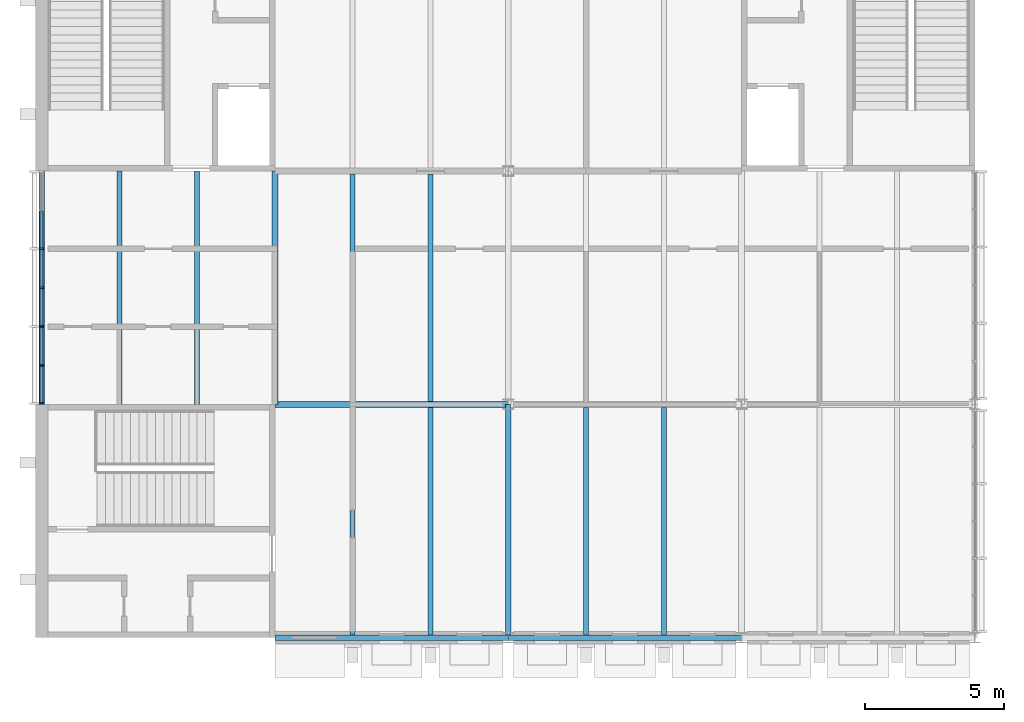
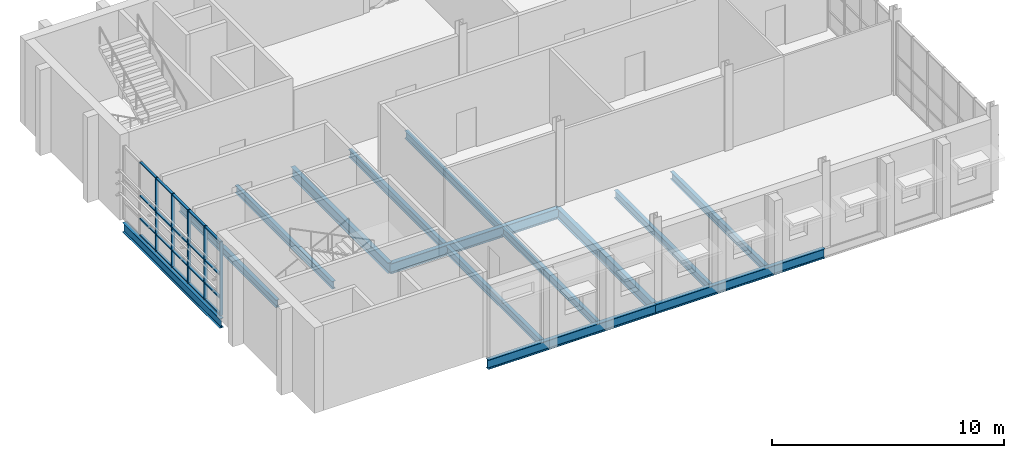
# One storey, part 3 of 22: 25 members, 14 beams, 1 element without a shape of its own.
"""IFC4 building model written with IfcOpenShell, lengths in metres."""

from ifc_helpers import new_model, si_unit, direction, frame, origin, origin_2d, place, context, subcontext, project, spatial, rectangle, i_section, extrude, material, layer, layer_set, material_profile, profile_set, type_object, element, aggregate, save


model = new_model("IFC4")

# Units and contexts
model_context = context("Model", 3, precision=1e-05, world=origin(), true_north=direction((0.0, 1.0)))
body_context = subcontext(model_context, "Body", "Model", "MODEL_VIEW")
ifc_project = project(units=[si_unit("LENGTHUNIT", "METRE"), si_unit("AREAUNIT", "SQUARE_METRE"), si_unit("VOLUMEUNIT", "CUBIC_METRE"), si_unit("PLANEANGLEUNIT", "RADIAN"), si_unit("MASSUNIT", "GRAM", prefix="KILO")], contexts=[model_context])

# Site, building, storey
site_placement = place(None, origin())
site = spatial("IfcSite", under=ifc_project, at=site_placement, CompositionType="ELEMENT")
building_placement = place(site_placement, origin())
building = spatial("IfcBuilding", under=site, at=building_placement, Name="Ardhachandra Cancer Care Centre", CompositionType="ELEMENT")
storey_placement = place(building_placement, frame((0.0, 0.0, 18.0)))
storey = spatial("IfcBuildingStorey", under=building, at=storey_placement, Name="L04", CompositionType="ELEMENT", Elevation=18.0)

# Beams
ifc_material_1 = material(Name="Steel E350 (IS 2062)", Category="steel")
ifc_material_profile_1 = material_profile(ifc_material_1, i_section(OverallWidth=0.179931640625, OverallDepth=0.39990234375, WebThickness=0.008544921875, FlangeThickness=0.013427734375, FilletRadius=0.02099609375, at=origin_2d()), Name="NPB 400x180x66.30")
ifc_profile_set_1 = profile_set([ifc_material_profile_1], Name="Steel E350 (IS 2062)")
beam_type_1 = type_object("IfcBeamType", Name="Beam NPB 400x180x66.30", PredefinedType="BEAM", material=ifc_profile_set_1)
for number, where, z_axis, x_axis, name in (
    (1, (13.60009765625, 79.800048828125, -0.35009765625), (0.0, 1.0, 0.0), (-1.0, 0.0, 0.0), "Secondary J1-K1@2800"),
    (2, (16.39990234375, 79.800048828125, -0.35009765625), (0.0, 1.0, 0.0), (-1.0, 0.0, 0.0), "Secondary J1-K1@5600"),
):
    element("IfcBeam", number, at=place(storey_placement, frame(where, z_axis=z_axis, x_axis=x_axis)), inside=storey, type_object=beam_type_1, Name=name, PredefinedType="BEAM", context=body_context, shape_type="SweptSolid", body=[
        extrude(i_section(OverallWidth=0.179931640625, OverallDepth=0.39990234375, WebThickness=0.008544921875, FlangeThickness=0.013427734375, FilletRadius=0.02099609375, at=origin_2d()), origin(), (0.0, 0.0, 1.0), 8.39990234375),
    ])
beam_1_placement = place(storey_placement, frame((22.0, 71.5, -0.35009765625), z_axis=(0.0, 1.0, 0.0), x_axis=(-1.0, 0.0, 0.0)))
element("IfcBeam", 3, at=beam_1_placement, inside=storey, type_object=beam_type_1, Name="Secondary H2-J2@2800", PredefinedType="BEAM", context=body_context, shape_type="SweptSolid", body=[
    extrude(i_section(OverallWidth=0.179931640625, OverallDepth=0.39990234375, WebThickness=0.008544921875, FlangeThickness=0.013427734375, FilletRadius=0.02099609375, at=origin_2d()), origin(), (0.0, 0.0, 1.0), 8.195068359375),
])
beam_2_placement = place(storey_placement, frame((22.0, 79.905029296875, -0.35009765625), z_axis=(0.0, 1.0, 0.0), x_axis=(-1.0, 0.0, 0.0)))
element("IfcBeam", 4, at=beam_2_placement, inside=storey, type_object=beam_type_1, Name="Secondary J2-K2@2800", PredefinedType="BEAM", context=body_context, shape_type="SweptSolid", body=[
    extrude(i_section(OverallWidth=0.179931640625, OverallDepth=0.39990234375, WebThickness=0.008544921875, FlangeThickness=0.013427734375, FilletRadius=0.02099609375, at=origin_2d()), origin(), (0.0, 0.0, 1.0), 8.18994140625),
])
beam_3_placement = place(storey_placement, frame((24.800048828125, 71.5, -0.35009765625), z_axis=(0.0, 1.0, 0.0), x_axis=(-1.0, 0.0, 0.0)))
element("IfcBeam", 5, at=beam_3_placement, inside=storey, type_object=beam_type_1, Name="Secondary H2-J2@5600", PredefinedType="BEAM", context=body_context, shape_type="SweptSolid", body=[
    extrude(i_section(OverallWidth=0.179931640625, OverallDepth=0.39990234375, WebThickness=0.008544921875, FlangeThickness=0.013427734375, FilletRadius=0.02099609375, at=origin_2d()), origin(), (0.0, 0.0, 1.0), 8.195068359375),
])
beam_4_placement = place(storey_placement, frame((24.800048828125, 79.905029296875, -0.35009765625), z_axis=(0.0, 1.0, 0.0), x_axis=(-1.0, 0.0, 0.0)))
element("IfcBeam", 6, at=beam_4_placement, inside=storey, type_object=beam_type_1, Name="Secondary J2-K2@5600", PredefinedType="BEAM", context=body_context, shape_type="SweptSolid", body=[
    extrude(i_section(OverallWidth=0.179931640625, OverallDepth=0.39990234375, WebThickness=0.008544921875, FlangeThickness=0.013427734375, FilletRadius=0.02099609375, at=origin_2d()), origin(), (0.0, 0.0, 1.0), 8.18994140625),
])
for number, where, z_axis, x_axis, name in (
    (7, (30.39990234375, 71.5, -0.35009765625), (0.0, 1.0, 0.0), (-1.0, 0.0, 0.0), "Secondary H3-J3@2800"),
    (8, (33.199951171875, 71.5, -0.35009765625), (0.0, 1.0, 0.0), (-1.0, 0.0, 0.0), "Secondary H3-J3@5600"),
):
    element("IfcBeam", number, at=place(storey_placement, frame(where, z_axis=z_axis, x_axis=x_axis)), inside=storey, type_object=beam_type_1, Name=name, PredefinedType="BEAM", context=body_context, shape_type="SweptSolid", body=[
        extrude(i_section(OverallWidth=0.179931640625, OverallDepth=0.39990234375, WebThickness=0.008544921875, FlangeThickness=0.013427734375, FilletRadius=0.02099609375, at=origin_2d()), origin(), (0.0, 0.0, 1.0), 8.195068359375),
    ])
ifc_material_2 = material(Name="Steel E350 (IS 2062)", Category="steel")
ifc_material_profile_2 = material_profile(ifc_material_2, i_section(OverallWidth=0.199951171875, OverallDepth=0.5, WebThickness=0.01025390625, FlangeThickness=0.01611328125, FilletRadius=0.02099609375, at=origin_2d()), Name="NPB 500x200x90.68")
ifc_profile_set_2 = profile_set([ifc_material_profile_2], Name="Steel E350 (IS 2062)")
beam_type_2 = type_object("IfcBeamType", Name="Beam NPB 500x200x90.68", PredefinedType="BEAM", material=ifc_profile_set_2)
beam_5_placement = place(storey_placement, frame((19.199951171875, 71.39990234375, -0.39990234375), z_axis=(1.0, 0.0, 0.0), x_axis=(0.0, 1.0, 0.0)))
element("IfcBeam", 9, at=beam_5_placement, inside=storey, type_object=beam_type_2, Name="Edge girder H2-H3", PredefinedType="BEAM", context=body_context, shape_type="SweptSolid", body=[
    extrude(i_section(OverallWidth=0.199951171875, OverallDepth=0.5, WebThickness=0.01025390625, FlangeThickness=0.01611328125, FilletRadius=0.02099609375, at=origin_2d()), origin(), (0.0, 0.0, 1.0), 8.400146484375),
])
for number, where, z_axis, x_axis, name in (
    (10, (27.60009765625, 71.39990234375, -0.39990234375), (1.0, 0.0, 0.0), (0.0, 1.0, 0.0), "Edge girder H3-H4"),
    (11, (10.800048828125, 79.800048828125, -0.39990234375), (0.0, 1.0, 0.0), (-1.0, 0.0, 0.0), "Edge girder J1-K1"),
):
    element("IfcBeam", number, at=place(storey_placement, frame(where, z_axis=z_axis, x_axis=x_axis)), inside=storey, type_object=beam_type_2, Name=name, PredefinedType="BEAM", context=body_context, shape_type="SweptSolid", body=[
        extrude(i_section(OverallWidth=0.199951171875, OverallDepth=0.5, WebThickness=0.01025390625, FlangeThickness=0.01611328125, FilletRadius=0.02099609375, at=origin_2d()), origin(), (0.0, 0.0, 1.0), 8.39990234375),
    ])
ifc_material_3 = material(Name="Steel E350 (IS 2062)", Category="steel")
ifc_material_profile_3 = material_profile(ifc_material_3, i_section(OverallWidth=0.2099609375, OverallDepth=0.550048828125, WebThickness=0.010986328125, FlangeThickness=0.01708984375, FilletRadius=0.02392578125, at=origin_2d()), Name="NPB 550x210x105.52")
ifc_profile_set_3 = profile_set([ifc_material_profile_3], Name="Steel E350 (IS 2062)")
beam_type_3 = type_object("IfcBeamType", Name="Beam NPB 550x210x105.52", PredefinedType="BEAM", material=ifc_profile_set_3)
beam_6_placement = place(storey_placement, frame((19.199951171875, 79.800048828125, -0.425048828125), z_axis=(1.0, 0.0, 0.0), x_axis=(0.0, 1.0, 0.0)))
element("IfcBeam", 12, at=beam_6_placement, inside=storey, type_object=beam_type_3, Name="Girder J2-J3", PredefinedType="BEAM", context=body_context, shape_type="SweptSolid", body=[
    extrude(i_section(OverallWidth=0.2099609375, OverallDepth=0.550048828125, WebThickness=0.010986328125, FlangeThickness=0.01708984375, FilletRadius=0.02392578125, at=origin_2d()), origin(), (0.0, 0.0, 1.0), 8.400146484375),
])
beam_7_placement = place(storey_placement, frame((19.199951171875, 79.800048828125, -0.425048828125), z_axis=(0.0, 1.0, 0.0), x_axis=(-1.0, 0.0, 0.0)))
element("IfcBeam", 13, at=beam_7_placement, inside=storey, type_object=beam_type_3, Name="Girder J2-K2", PredefinedType="BEAM", context=body_context, shape_type="SweptSolid", body=[
    extrude(i_section(OverallWidth=0.2099609375, OverallDepth=0.550048828125, WebThickness=0.010986328125, FlangeThickness=0.01708984375, FilletRadius=0.02392578125, at=origin_2d()), origin(), (0.0, 0.0, 1.0), 8.39990234375),
])
beam_8_placement = place(storey_placement, frame((27.60009765625, 71.39990234375, -0.425048828125), z_axis=(0.0, 1.0, 0.0), x_axis=(-1.0, 0.0, 0.0)))
element("IfcBeam", 14, at=beam_8_placement, inside=storey, type_object=beam_type_3, Name="Girder H3-J3", PredefinedType="BEAM", context=body_context, shape_type="SweptSolid", body=[
    extrude(i_section(OverallWidth=0.2099609375, OverallDepth=0.550048828125, WebThickness=0.010986328125, FlangeThickness=0.01708984375, FilletRadius=0.02392578125, at=origin_2d()), origin(), (0.0, 0.0, 1.0), 8.400146484375),
])

# Curtain wall, members
ifc_material_4 = material(Name="Aluminium extrusion", Category="aluminium")
ifc_layer = layer(ifc_material_4, 0.14990234375)
ifc_layer_set = layer_set([ifc_layer], Name="Aluminium extrusion")
curtain_wall_type = type_object("IfcCurtainWallType", Name="Curtain wall run", PredefinedType="NOTDEFINED", material=ifc_layer_set)
curtain_wall_placement = place(storey_placement, origin())
curtain_wall = element("IfcCurtainWall", 15, at=curtain_wall_placement, inside=storey, type_object=curtain_wall_type, Name="Curtain wall L04 w/0010800_0079800", PredefinedType="NOTDEFINED")
ifc_material_5 = material(Name="Aluminium extrusion", Category="aluminium")
ifc_material_profile_4 = material_profile(ifc_material_5, rectangle(XDim=0.159912109375, YDim=0.06005859375, at=origin_2d()), Name="Curtain wall mullion 60 x 160")
ifc_profile_set_4 = profile_set([ifc_material_profile_4], Name="Aluminium extrusion")
member_type_1 = type_object("IfcMemberType", Name="Curtain wall mullion 60 x 160", PredefinedType="MULLION", material=ifc_profile_set_4)
member_1_placement = place(storey_placement, frame((10.800048828125, 79.830078125, 0.0), z_axis=(0.0, 0.0, 1.0), x_axis=(-1.0, 0.0, 0.0)))
member_1 = element("IfcMember", 16, at=member_1_placement, type_object=member_type_1, Name="CW mullion 1", PredefinedType="MULLION", context=body_context, shape_type="SweptSolid", body=[
    extrude(rectangle(XDim=0.159912109375, YDim=0.06005859375, at=origin_2d()), origin(), (0.0, 0.0, 1.0), 3.885986328125),
])
member_2_placement = place(storey_placement, frame((10.800048828125, 81.199951171875, 0.0), z_axis=(0.0, 0.0, 1.0), x_axis=(-1.0, 0.0, 0.0)))
member_2 = element("IfcMember", 17, at=member_2_placement, type_object=member_type_1, Name="CW mullion 2", PredefinedType="MULLION", context=body_context, shape_type="SweptSolid", body=[
    extrude(rectangle(XDim=0.159912109375, YDim=0.06005859375, at=origin_2d()), origin(), (0.0, 0.0, 1.0), 3.885986328125),
])
member_3_placement = place(storey_placement, frame((10.800048828125, 82.60009765625, 0.0), z_axis=(0.0, 0.0, 1.0), x_axis=(-1.0, 0.0, 0.0)))
member_3 = element("IfcMember", 18, at=member_3_placement, type_object=member_type_1, Name="CW mullion 3", PredefinedType="MULLION", context=body_context, shape_type="SweptSolid", body=[
    extrude(rectangle(XDim=0.159912109375, YDim=0.06005859375, at=origin_2d()), origin(), (0.0, 0.0, 1.0), 3.885986328125),
])
member_4_placement = place(storey_placement, frame((10.800048828125, 84.0, 0.0), z_axis=(0.0, 0.0, 1.0), x_axis=(-1.0, 0.0, 0.0)))
member_4 = element("IfcMember", 19, at=member_4_placement, type_object=member_type_1, Name="CW mullion 4", PredefinedType="MULLION", context=body_context, shape_type="SweptSolid", body=[
    extrude(rectangle(XDim=0.159912109375, YDim=0.06005859375, at=origin_2d()), origin(), (0.0, 0.0, 1.0), 3.885986328125),
])
member_5_placement = place(storey_placement, frame((10.800048828125, 85.39990234375, 0.0), z_axis=(0.0, 0.0, 1.0), x_axis=(-1.0, 0.0, 0.0)))
member_5 = element("IfcMember", 20, at=member_5_placement, type_object=member_type_1, Name="CW mullion 5", PredefinedType="MULLION", context=body_context, shape_type="SweptSolid", body=[
    extrude(rectangle(XDim=0.159912109375, YDim=0.06005859375, at=origin_2d()), origin(), (0.0, 0.0, 1.0), 3.885986328125),
])
ifc_material_6 = material(Name="Aluminium extrusion", Category="aluminium")
ifc_material_profile_5 = material_profile(ifc_material_6, rectangle(XDim=0.1201171875, YDim=0.06005859375, at=origin_2d()), Name="Curtain wall transom 60 x 120")
ifc_profile_set_5 = profile_set([ifc_material_profile_5], Name="Aluminium extrusion")
member_type_2 = type_object("IfcMemberType", Name="Curtain wall transom 60 x 120", PredefinedType="USERDEFINED", material=ifc_profile_set_5)
member_6_placement = place(storey_placement, frame((10.800048828125, 79.860107421875, 0.030029296875), z_axis=(0.0, 1.0, 0.0), x_axis=(-1.0, 0.0, 0.0)))
member_6 = element("IfcMember", 21, at=member_6_placement, type_object=member_type_2, Name="CW transom 1.1", ObjectType="TRANSOM", PredefinedType="USERDEFINED", context=body_context, shape_type="SweptSolid", body=[
    extrude(rectangle(XDim=0.1201171875, YDim=0.06005859375, at=origin_2d()), origin(), (0.0, 0.0, 1.0), 1.309814453125),
])
member_7_placement = place(storey_placement, frame((10.800048828125, 79.860107421875, 0.89990234375), z_axis=(0.0, 1.0, 0.0), x_axis=(-1.0, 0.0, 0.0)))
member_7 = element("IfcMember", 22, at=member_7_placement, type_object=member_type_2, Name="CW transom 1.2", ObjectType="TRANSOM", PredefinedType="USERDEFINED", context=body_context, shape_type="SweptSolid", body=[
    extrude(rectangle(XDim=0.1201171875, YDim=0.06005859375, at=origin_2d()), origin(), (0.0, 0.0, 1.0), 1.309814453125),
])
member_8_placement = place(storey_placement, frame((10.800048828125, 79.860107421875, 2.10009765625), z_axis=(0.0, 1.0, 0.0), x_axis=(-1.0, 0.0, 0.0)))
member_8 = element("IfcMember", 23, at=member_8_placement, type_object=member_type_2, Name="CW transom 1.3", ObjectType="TRANSOM", PredefinedType="USERDEFINED", context=body_context, shape_type="SweptSolid", body=[
    extrude(rectangle(XDim=0.1201171875, YDim=0.06005859375, at=origin_2d()), origin(), (0.0, 0.0, 1.0), 1.309814453125),
])
member_9_placement = place(storey_placement, frame((10.800048828125, 79.860107421875, 3.85595703125), z_axis=(0.0, 1.0, 0.0), x_axis=(-1.0, 0.0, 0.0)))
member_9 = element("IfcMember", 24, at=member_9_placement, type_object=member_type_2, Name="CW transom 1.4", ObjectType="TRANSOM", PredefinedType="USERDEFINED", context=body_context, shape_type="SweptSolid", body=[
    extrude(rectangle(XDim=0.1201171875, YDim=0.06005859375, at=origin_2d()), origin(), (0.0, 0.0, 1.0), 1.309814453125),
])
member_10_placement = place(storey_placement, frame((10.800048828125, 81.22998046875, 0.030029296875), z_axis=(0.0, 1.0, 0.0), x_axis=(-1.0, 0.0, 0.0)))
member_10 = element("IfcMember", 25, at=member_10_placement, type_object=member_type_2, Name="CW transom 2.1", ObjectType="TRANSOM", PredefinedType="USERDEFINED", context=body_context, shape_type="SweptSolid", body=[
    extrude(rectangle(XDim=0.1201171875, YDim=0.06005859375, at=origin_2d()), origin(), (0.0, 0.0, 1.0), 1.340087890625),
])
member_11_placement = place(storey_placement, frame((10.800048828125, 81.22998046875, 0.89990234375), z_axis=(0.0, 1.0, 0.0), x_axis=(-1.0, 0.0, 0.0)))
member_11 = element("IfcMember", 26, at=member_11_placement, type_object=member_type_2, Name="CW transom 2.2", ObjectType="TRANSOM", PredefinedType="USERDEFINED", context=body_context, shape_type="SweptSolid", body=[
    extrude(rectangle(XDim=0.1201171875, YDim=0.06005859375, at=origin_2d()), origin(), (0.0, 0.0, 1.0), 1.340087890625),
])
member_12_placement = place(storey_placement, frame((10.800048828125, 81.22998046875, 2.10009765625), z_axis=(0.0, 1.0, 0.0), x_axis=(-1.0, 0.0, 0.0)))
member_12 = element("IfcMember", 27, at=member_12_placement, type_object=member_type_2, Name="CW transom 2.3", ObjectType="TRANSOM", PredefinedType="USERDEFINED", context=body_context, shape_type="SweptSolid", body=[
    extrude(rectangle(XDim=0.1201171875, YDim=0.06005859375, at=origin_2d()), origin(), (0.0, 0.0, 1.0), 1.340087890625),
])
member_13_placement = place(storey_placement, frame((10.800048828125, 81.22998046875, 3.85595703125), z_axis=(0.0, 1.0, 0.0), x_axis=(-1.0, 0.0, 0.0)))
member_13 = element("IfcMember", 28, at=member_13_placement, type_object=member_type_2, Name="CW transom 2.4", ObjectType="TRANSOM", PredefinedType="USERDEFINED", context=body_context, shape_type="SweptSolid", body=[
    extrude(rectangle(XDim=0.1201171875, YDim=0.06005859375, at=origin_2d()), origin(), (0.0, 0.0, 1.0), 1.340087890625),
])
member_14_placement = place(storey_placement, frame((10.800048828125, 82.6298828125, 0.030029296875), z_axis=(0.0, 1.0, 0.0), x_axis=(-1.0, 0.0, 0.0)))
member_14 = element("IfcMember", 29, at=member_14_placement, type_object=member_type_2, Name="CW transom 3.1", ObjectType="TRANSOM", PredefinedType="USERDEFINED", context=body_context, shape_type="SweptSolid", body=[
    extrude(rectangle(XDim=0.1201171875, YDim=0.06005859375, at=origin_2d()), origin(), (0.0, 0.0, 1.0), 1.340087890625),
])
member_15_placement = place(storey_placement, frame((10.800048828125, 82.6298828125, 0.89990234375), z_axis=(0.0, 1.0, 0.0), x_axis=(-1.0, 0.0, 0.0)))
member_15 = element("IfcMember", 30, at=member_15_placement, type_object=member_type_2, Name="CW transom 3.2", ObjectType="TRANSOM", PredefinedType="USERDEFINED", context=body_context, shape_type="SweptSolid", body=[
    extrude(rectangle(XDim=0.1201171875, YDim=0.06005859375, at=origin_2d()), origin(), (0.0, 0.0, 1.0), 1.340087890625),
])
member_16_placement = place(storey_placement, frame((10.800048828125, 82.6298828125, 2.10009765625), z_axis=(0.0, 1.0, 0.0), x_axis=(-1.0, 0.0, 0.0)))
member_16 = element("IfcMember", 31, at=member_16_placement, type_object=member_type_2, Name="CW transom 3.3", ObjectType="TRANSOM", PredefinedType="USERDEFINED", context=body_context, shape_type="SweptSolid", body=[
    extrude(rectangle(XDim=0.1201171875, YDim=0.06005859375, at=origin_2d()), origin(), (0.0, 0.0, 1.0), 1.340087890625),
])
member_17_placement = place(storey_placement, frame((10.800048828125, 82.6298828125, 3.85595703125), z_axis=(0.0, 1.0, 0.0), x_axis=(-1.0, 0.0, 0.0)))
member_17 = element("IfcMember", 32, at=member_17_placement, type_object=member_type_2, Name="CW transom 3.4", ObjectType="TRANSOM", PredefinedType="USERDEFINED", context=body_context, shape_type="SweptSolid", body=[
    extrude(rectangle(XDim=0.1201171875, YDim=0.06005859375, at=origin_2d()), origin(), (0.0, 0.0, 1.0), 1.340087890625),
])
member_18_placement = place(storey_placement, frame((10.800048828125, 84.030029296875, 0.030029296875), z_axis=(0.0, 1.0, 0.0), x_axis=(-1.0, 0.0, 0.0)))
member_18 = element("IfcMember", 33, at=member_18_placement, type_object=member_type_2, Name="CW transom 4.1", ObjectType="TRANSOM", PredefinedType="USERDEFINED", context=body_context, shape_type="SweptSolid", body=[
    extrude(rectangle(XDim=0.1201171875, YDim=0.06005859375, at=origin_2d()), origin(), (0.0, 0.0, 1.0), 1.340087890625),
])
member_19_placement = place(storey_placement, frame((10.800048828125, 84.030029296875, 0.89990234375), z_axis=(0.0, 1.0, 0.0), x_axis=(-1.0, 0.0, 0.0)))
member_19 = element("IfcMember", 34, at=member_19_placement, type_object=member_type_2, Name="CW transom 4.2", ObjectType="TRANSOM", PredefinedType="USERDEFINED", context=body_context, shape_type="SweptSolid", body=[
    extrude(rectangle(XDim=0.1201171875, YDim=0.06005859375, at=origin_2d()), origin(), (0.0, 0.0, 1.0), 1.340087890625),
])
member_20_placement = place(storey_placement, frame((10.800048828125, 84.030029296875, 2.10009765625), z_axis=(0.0, 1.0, 0.0), x_axis=(-1.0, 0.0, 0.0)))
member_20 = element("IfcMember", 35, at=member_20_placement, type_object=member_type_2, Name="CW transom 4.3", ObjectType="TRANSOM", PredefinedType="USERDEFINED", context=body_context, shape_type="SweptSolid", body=[
    extrude(rectangle(XDim=0.1201171875, YDim=0.06005859375, at=origin_2d()), origin(), (0.0, 0.0, 1.0), 1.340087890625),
])
member_21_placement = place(storey_placement, frame((10.800048828125, 84.030029296875, 3.85595703125), z_axis=(0.0, 1.0, 0.0), x_axis=(-1.0, 0.0, 0.0)))
member_21 = element("IfcMember", 36, at=member_21_placement, type_object=member_type_2, Name="CW transom 4.4", ObjectType="TRANSOM", PredefinedType="USERDEFINED", context=body_context, shape_type="SweptSolid", body=[
    extrude(rectangle(XDim=0.1201171875, YDim=0.06005859375, at=origin_2d()), origin(), (0.0, 0.0, 1.0), 1.340087890625),
])
member_22_placement = place(storey_placement, frame((10.800048828125, 85.429931640625, 0.030029296875), z_axis=(0.0, 1.0, 0.0), x_axis=(-1.0, 0.0, 0.0)))
member_22 = element("IfcMember", 37, at=member_22_placement, type_object=member_type_2, Name="CW transom 5.1", ObjectType="TRANSOM", PredefinedType="USERDEFINED", context=body_context, shape_type="SweptSolid", body=[
    extrude(rectangle(XDim=0.1201171875, YDim=0.06005859375, at=origin_2d()), origin(), (0.0, 0.0, 1.0), 1.340087890625),
])
member_23_placement = place(storey_placement, frame((10.800048828125, 85.429931640625, 0.89990234375), z_axis=(0.0, 1.0, 0.0), x_axis=(-1.0, 0.0, 0.0)))
member_23 = element("IfcMember", 38, at=member_23_placement, type_object=member_type_2, Name="CW transom 5.2", ObjectType="TRANSOM", PredefinedType="USERDEFINED", context=body_context, shape_type="SweptSolid", body=[
    extrude(rectangle(XDim=0.1201171875, YDim=0.06005859375, at=origin_2d()), origin(), (0.0, 0.0, 1.0), 1.340087890625),
])
member_24_placement = place(storey_placement, frame((10.800048828125, 85.429931640625, 2.10009765625), z_axis=(0.0, 1.0, 0.0), x_axis=(-1.0, 0.0, 0.0)))
member_24 = element("IfcMember", 39, at=member_24_placement, type_object=member_type_2, Name="CW transom 5.3", ObjectType="TRANSOM", PredefinedType="USERDEFINED", context=body_context, shape_type="SweptSolid", body=[
    extrude(rectangle(XDim=0.1201171875, YDim=0.06005859375, at=origin_2d()), origin(), (0.0, 0.0, 1.0), 1.340087890625),
])
member_25_placement = place(storey_placement, frame((10.800048828125, 85.429931640625, 3.85595703125), z_axis=(0.0, 1.0, 0.0), x_axis=(-1.0, 0.0, 0.0)))
member_25 = element("IfcMember", 40, at=member_25_placement, type_object=member_type_2, Name="CW transom 5.4", ObjectType="TRANSOM", PredefinedType="USERDEFINED", context=body_context, shape_type="SweptSolid", body=[
    extrude(rectangle(XDim=0.1201171875, YDim=0.06005859375, at=origin_2d()), origin(), (0.0, 0.0, 1.0), 1.340087890625),
])
aggregate(curtain_wall, [member_1, member_2, member_3, member_4, member_5, member_6, member_7, member_8, member_9, member_10, member_11, member_12, member_13, member_14, member_15, member_16, member_17, member_18, member_19, member_20, member_21, member_22, member_23, member_24, member_25])

save(model, "model.ifc")
